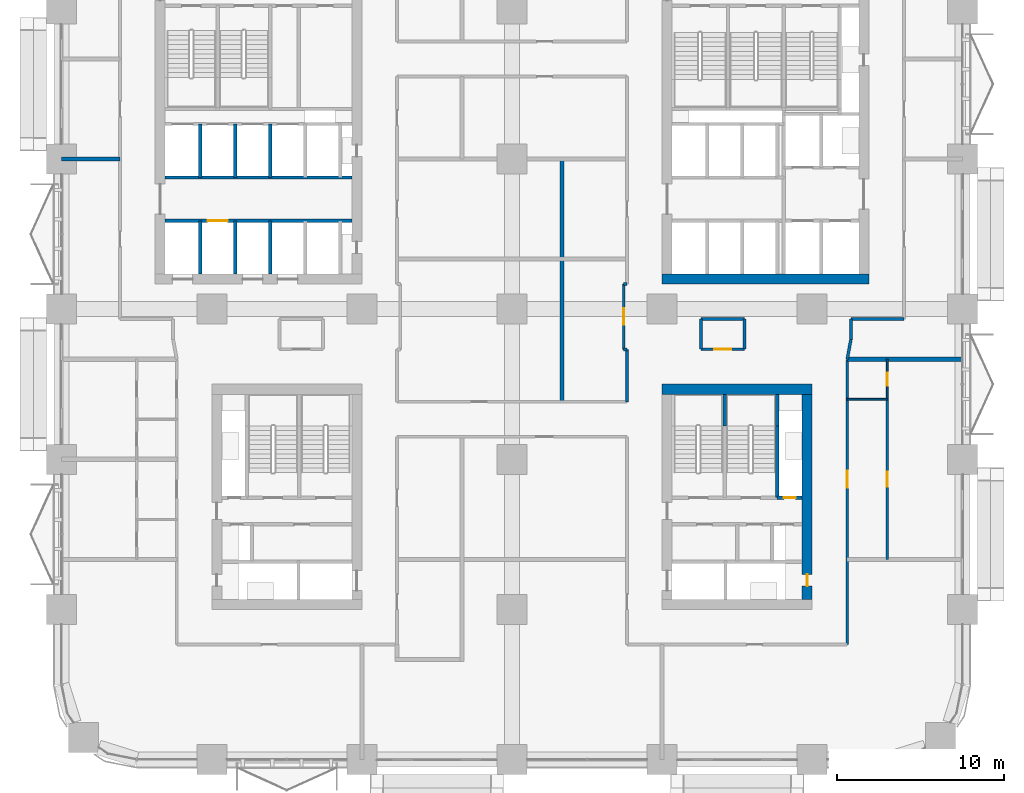
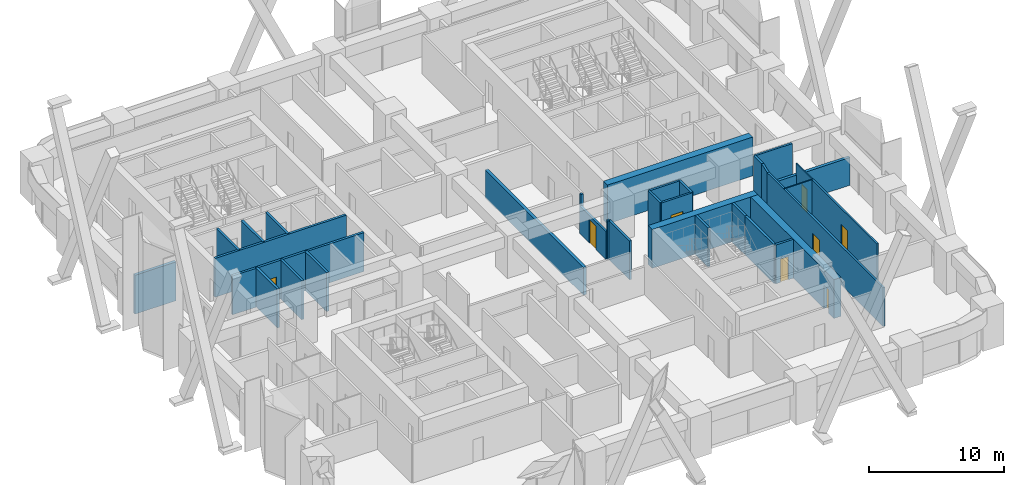
# One storey, part 16 of 23: 33 walls, 8 doors, 8 openings.
"""IFC4 building model written with IfcOpenShell, lengths in metres."""

from ifc_helpers import new_model, si_unit, direction, frame, frame_2d, origin, place, context, subcontext, project, spatial, rectangle, extrude, material, layer, layer_set, type_object, element, fill, save


model = new_model("IFC4")

# Units and contexts
model_context = context("Model", 3, precision=1e-05, world=origin(), true_north=direction((0.0, 1.0)))
body_context = subcontext(model_context, "Body", "Model", "MODEL_VIEW")
ifc_project = project(units=[si_unit("LENGTHUNIT", "METRE"), si_unit("AREAUNIT", "SQUARE_METRE"), si_unit("VOLUMEUNIT", "CUBIC_METRE"), si_unit("PLANEANGLEUNIT", "RADIAN"), si_unit("MASSUNIT", "GRAM", prefix="KILO")], contexts=[model_context])

# Site, building, storey
site_placement = place(None, origin())
site = spatial("IfcSite", under=ifc_project, at=site_placement, CompositionType="ELEMENT")
building_placement = place(site_placement, origin())
building = spatial("IfcBuilding", under=site, at=building_placement, Name="Tessera Arch", CompositionType="ELEMENT")
storey_placement = place(building_placement, frame((0.0, 0.0, 46.199951171875)))
storey = spatial("IfcBuildingStorey", under=building, at=storey_placement, Name="L09", CompositionType="ELEMENT", Elevation=46.199951171875)

# Walls
ifc_material_1 = material(Name="Concrete C70/85", Category="concrete")
ifc_layer_1 = layer(ifc_material_1, 0.60009765625)
ifc_layer_set_1 = layer_set([ifc_layer_1], Name="Core shell wall 600 C70-85")
wall_type_1 = type_object("IfcWallType", Name="Core shell wall 600 C70-85", PredefinedType="SHEAR", material=ifc_layer_set_1)
wall_1_placement = place(storey_placement, frame((36.0, 28.800048828125, 0.0), z_axis=(0.0, 0.0, 1.0), x_axis=(1.0, 0.0, 0.0)))
element("IfcWall", 1, at=wall_1_placement, inside=storey, type_object=wall_type_1, Name="L09 C1 core wall S", PredefinedType="SHEAR", context=body_context, shape_type="SweptSolid", body=[
    extrude(rectangle(XDim=12.39990234375, YDim=0.60009765625, at=frame_2d((6.199951171875, 0.0))), origin(), (0.0, 0.0, 1.0), 3.5),
])
wall_2_placement = place(storey_placement, frame((36.0, 22.199951171875, 0.0), z_axis=(0.0, 0.0, 1.0), x_axis=(1.0, 0.0, 0.0)))
element("IfcWall", 2, at=wall_2_placement, inside=storey, type_object=wall_type_1, Name="L09 C3 core wall N", PredefinedType="SHEAR", context=body_context, shape_type="SweptSolid", body=[
    extrude(rectangle(XDim=9.0, YDim=0.60009765625, at=frame_2d((4.5, 0.0))), origin(), (0.0, 0.0, 1.0), 3.5),
])

# Wall, opening, door
wall_3_placement = place(storey_placement, frame((44.699951171875, 9.60009765625, 0.0), z_axis=(0.0, 0.0, 1.0), x_axis=(0.0, 1.0, 0.0)))
wall_3 = element("IfcWall", 3, at=wall_3_placement, inside=storey, type_object=wall_type_1, Name="L09 C3 core wall E", PredefinedType="SHEAR", context=body_context, shape_type="SweptSolid", body=[
    extrude(rectangle(XDim=12.2998046875, YDim=0.60009765625, at=frame_2d((6.14990234375, 0.0))), origin(), (0.0, 0.0, 1.0), 3.5),
])
opening_1_placement = place(wall_3_placement, frame((0.800048828125, 0.0, 0.0)))
opening_1 = element("IfcOpeningElement", 4, at=opening_1_placement, cuts=wall_3, Name="Opening L09-C38", PredefinedType="OPENING", context=body_context, shape_type="SweptSolid", body=[
    extrude(rectangle(XDim=0.699951171875, YDim=2.10009765625, at=frame_2d((0.35009765625, 1.050048828125))), frame((0.0, 0.31005859375, 0.0), z_axis=(0.0, -1.0, 0.0), x_axis=(1.0, 0.0, 0.0)), (0.0, 0.0, 1.0), 0.6201171875),
])
ifc_material_2 = material(Name="Steel door leaf", Category="steel")
door_type_1 = type_object("IfcDoorType", Name="Service shaft door FD60 700 x 2100", OperationType="SINGLE_SWING_LEFT", PredefinedType="DOOR", material=ifc_material_2)
door_1_placement = place(opening_1_placement, origin())
door_1 = element("IfcDoor", 5, at=door_1_placement, inside=storey, type_object=door_type_1, Name="L09 C3 door 6 C38 type D07", OperationType="SINGLE_SWING_LEFT", OverallHeight=2.10009765625, OverallWidth=0.699951171875, PredefinedType="DOOR", context=body_context, shape_type="SweptSolid", body=[
    extrude(rectangle(XDim=0.699951171875, YDim=2.10009765625, at=frame_2d((0.35009765625, 1.050048828125))), frame((0.0, 0.02490234375, 0.0), z_axis=(0.0, -1.0, 0.0), x_axis=(1.0, 0.0, 0.0)), (0.0, 0.0, 1.0), 0.050048828125),
])
fill(opening_1, door_1)

# Wall
ifc_material_3 = material(Name="Gypsum board on deep steel stud with mineral wool", Category="steel")
ifc_layer_2 = layer(ifc_material_3, 0.175048828125)
ifc_layer_set_2 = layer_set([ifc_layer_2], Name="Corridor wall 175 EI 60")
wall_type_2 = type_object("IfcWallType", Name="Corridor wall 175 EI 60", PredefinedType="PARTITIONING", material=ifc_layer_set_2)
wall_4_placement = place(storey_placement, frame((33.699951171875, 24.590087890625, 0.0), z_axis=(0.0, 0.0, 1.0), x_axis=(1.0, 0.0, 0.0)))
element("IfcWall", 6, at=wall_4_placement, inside=storey, type_object=wall_type_2, Name="L09 partition 6", PredefinedType="PARTITIONING", context=body_context, shape_type="SweptSolid", body=[
    extrude(rectangle(XDim=0.199951171875, YDim=0.175048828125, at=frame_2d((0.10009765625, 0.0))), origin(), (0.0, 0.0, 1.0), 3.5),
])

# Wall, opening, door
wall_5_placement = place(storey_placement, frame((38.320068359375, 24.60009765625, 0.0), z_axis=(0.0, 0.0, 1.0), x_axis=(1.0, 0.0, 0.0)))
wall_5 = element("IfcWall", 7, at=wall_5_placement, inside=storey, type_object=wall_type_2, Name="L09 partition 8", PredefinedType="PARTITIONING", context=body_context, shape_type="SweptSolid", body=[
    extrude(rectangle(XDim=2.6298828125, YDim=0.175048828125, at=frame_2d((1.31494140625, 0.0))), origin(), (0.0, 0.0, 1.0), 3.5),
])
opening_2_placement = place(wall_5_placement, frame((0.81494140625, 0.0, 0.0)))
opening_2 = element("IfcOpeningElement", 8, at=opening_2_placement, cuts=wall_5, Name="Opening L09-D017", PredefinedType="OPENING", context=body_context, shape_type="SweptSolid", body=[
    extrude(rectangle(XDim=1.0, YDim=2.10009765625, at=frame_2d((0.5, 1.050048828125))), frame((0.0, 0.097412109375, 0.0), z_axis=(0.0, -1.0, 0.0), x_axis=(1.0, 0.0, 0.0)), (0.0, 0.0, 1.0), 0.195068359375),
])
ifc_material_4 = material(Name="Fire-rated door leaf")
door_type_2 = type_object("IfcDoorType", Name="Entrance door FD30S 1000 x 2100", OperationType="SINGLE_SWING_LEFT", PredefinedType="DOOR", material=ifc_material_4)
door_2_placement = place(opening_2_placement, origin())
door_2 = element("IfcDoor", 9, at=door_2_placement, inside=storey, type_object=door_type_2, Name="L09 door D017 type D03", OperationType="SINGLE_SWING_LEFT", OverallHeight=2.10009765625, OverallWidth=1.0, PredefinedType="DOOR", context=body_context, shape_type="SweptSolid", body=[
    extrude(rectangle(XDim=1.0, YDim=2.10009765625, at=frame_2d((0.5, 1.050048828125))), frame((0.0, 0.02490234375, 0.0), z_axis=(0.0, -1.0, 0.0), x_axis=(1.0, 0.0, 0.0)), (0.0, 0.0, 1.0), 0.050048828125),
])
fill(opening_2, door_2)

# Walls
wall_6_placement = place(storey_placement, frame((38.320068359375, 26.39990234375, 0.0), z_axis=(0.0, 0.0, 1.0), x_axis=(1.0, 0.0, 0.0)))
element("IfcWall", 10, at=wall_6_placement, inside=storey, type_object=wall_type_2, Name="L09 partition 11", PredefinedType="PARTITIONING", context=body_context, shape_type="SweptSolid", body=[
    extrude(rectangle(XDim=2.6298828125, YDim=0.175048828125, at=frame_2d((1.31494140625, 0.0))), origin(), (0.0, 0.0, 1.0), 3.5),
])
wall_7_placement = place(storey_placement, frame((47.320068359375, 26.39990234375, 0.0), z_axis=(0.0, 0.0, 1.0), x_axis=(1.0, 0.0, 0.0)))
element("IfcWall", 11, at=wall_7_placement, inside=storey, type_object=wall_type_2, Name="L09 partition 12", PredefinedType="PARTITIONING", context=body_context, shape_type="SweptSolid", body=[
    extrude(rectangle(XDim=3.179931640625, YDim=0.175048828125, at=frame_2d((1.58984375, 0.0))), origin(), (0.0, 0.0, 1.0), 3.5),
])
wall_8_placement = place(storey_placement, frame((33.699951171875, 28.52001953125, 0.0), z_axis=(0.0, 0.0, 1.0), x_axis=(1.0, 0.0, 0.0)))
element("IfcWall", 12, at=wall_8_placement, inside=storey, type_object=wall_type_2, Name="L09 partition 14", PredefinedType="PARTITIONING", context=body_context, shape_type="SweptSolid", body=[
    extrude(rectangle(XDim=0.199951171875, YDim=0.175048828125, at=frame_2d((0.10009765625, 0.0))), origin(), (0.0, 0.0, 1.0), 3.5),
])

# Wall, opening, door
wall_9_placement = place(storey_placement, frame((33.699951171875, 24.590087890625, 0.0), z_axis=(0.0, 0.0, 1.0), x_axis=(0.0, 1.0, 0.0)))
wall_9 = element("IfcWall", 13, at=wall_9_placement, inside=storey, type_object=wall_type_2, Name="L09 partition 29", PredefinedType="PARTITIONING", context=body_context, shape_type="SweptSolid", body=[
    extrude(rectangle(XDim=3.929931640625, YDim=0.175048828125, at=frame_2d((1.96484375, 0.0))), origin(), (0.0, 0.0, 1.0), 2.5),
])
opening_3_placement = place(wall_9_placement, frame((1.465087890625, 0.0, 0.0)))
opening_3 = element("IfcOpeningElement", 14, at=opening_3_placement, cuts=wall_9, Name="Opening L09-D019", PredefinedType="OPENING", context=body_context, shape_type="SweptSolid", body=[
    extrude(rectangle(XDim=1.0, YDim=2.10009765625, at=frame_2d((0.5, 1.050048828125))), frame((0.0, 0.097412109375, 0.0), z_axis=(0.0, -1.0, 0.0), x_axis=(1.0, 0.0, 0.0)), (0.0, 0.0, 1.0), 0.195068359375),
])
door_3_placement = place(opening_3_placement, origin())
door_3 = element("IfcDoor", 15, at=door_3_placement, inside=storey, type_object=door_type_2, Name="L09 door D019 type D03", OperationType="SINGLE_SWING_LEFT", OverallHeight=2.10009765625, OverallWidth=1.0, PredefinedType="DOOR", context=body_context, shape_type="SweptSolid", body=[
    extrude(rectangle(XDim=1.0, YDim=2.10009765625, at=frame_2d((0.5, 1.050048828125))), frame((0.0, 0.02490234375, 0.0), z_axis=(0.0, -1.0, 0.0), x_axis=(1.0, 0.0, 0.0)), (0.0, 0.0, 1.0), 0.050048828125),
])
fill(opening_3, door_3)

# Walls
wall_10_placement = place(storey_placement, frame((33.89990234375, 21.449951171875, 0.0), z_axis=(0.0, 0.0, 1.0), x_axis=(0.0, 1.0, 0.0)))
element("IfcWall", 16, at=wall_10_placement, inside=storey, type_object=wall_type_2, Name="L09 partition 31", PredefinedType="PARTITIONING", context=body_context, shape_type="SweptSolid", body=[
    extrude(rectangle(XDim=3.14013671875, YDim=0.175048828125, at=frame_2d((1.570068359375, 0.0))), origin(), (0.0, 0.0, 1.0), 3.5),
])
for number, where, z_axis, x_axis, name in (
    (17, (38.320068359375, 24.60009765625, 0.0), (0.0, 0.0, 1.0), (0.0, 1.0, 0.0), "L09 partition 34"),
    (18, (40.949951171875, 24.60009765625, 0.0), (0.0, 0.0, 1.0), (0.0, 1.0, 0.0), "L09 partition 35"),
):
    element("IfcWall", number, at=place(storey_placement, frame(where, z_axis=z_axis, x_axis=x_axis)), inside=storey, type_object=wall_type_2, Name=name, PredefinedType="PARTITIONING", context=body_context, shape_type="SweptSolid", body=[
        extrude(rectangle(XDim=1.7998046875, YDim=0.175048828125, at=frame_2d((0.89990234375, 0.0))), origin(), (0.0, 0.0, 1.0), 3.5),
    ])

# Wall, opening, door
wall_11_placement = place(storey_placement, frame((47.10009765625, 6.89990234375, 0.0), z_axis=(0.0, 0.0, 1.0), x_axis=(0.0, 1.0, 0.0)))
wall_11 = element("IfcWall", 19, at=wall_11_placement, inside=storey, type_object=wall_type_2, Name="L09 partition 36", PredefinedType="PARTITIONING", context=body_context, shape_type="SweptSolid", body=[
    extrude(rectangle(XDim=17.090087890625, YDim=0.175048828125, at=frame_2d((8.544921875, 0.0))), origin(), (0.0, 0.0, 1.0), 3.5),
])
opening_4_placement = place(wall_11_placement, frame((9.39990234375, 0.0, 0.0)))
opening_4 = element("IfcOpeningElement", 20, at=opening_4_placement, cuts=wall_11, Name="Opening L09-D010", PredefinedType="OPENING", context=body_context, shape_type="SweptSolid", body=[
    extrude(rectangle(XDim=1.0, YDim=2.10009765625, at=frame_2d((0.5, 1.050048828125))), frame((0.0, 0.097412109375, 0.0), z_axis=(0.0, -1.0, 0.0), x_axis=(1.0, 0.0, 0.0)), (0.0, 0.0, 1.0), 0.195068359375),
])
door_4_placement = place(opening_4_placement, origin())
door_4 = element("IfcDoor", 21, at=door_4_placement, inside=storey, type_object=door_type_2, Name="L09 door D010 type D03", OperationType="SINGLE_SWING_LEFT", OverallHeight=2.10009765625, OverallWidth=1.0, PredefinedType="DOOR", context=body_context, shape_type="SweptSolid", body=[
    extrude(rectangle(XDim=1.0, YDim=2.10009765625, at=frame_2d((0.5, 1.050048828125))), frame((0.0, 0.02490234375, 0.0), z_axis=(0.0, -1.0, 0.0), x_axis=(1.0, 0.0, 0.0)), (0.0, 0.0, 1.0), 0.050048828125),
])
fill(opening_4, door_4)

# Walls
wall_12_placement = place(storey_placement, frame((47.320068359375, 25.18994140625, 0.0), z_axis=(0.0, 0.0, 1.0), x_axis=(0.0, 1.0, 0.0)))
element("IfcWall", 22, at=wall_12_placement, inside=storey, type_object=wall_type_2, Name="L09 partition 37", PredefinedType="PARTITIONING", context=body_context, shape_type="SweptSolid", body=[
    extrude(rectangle(XDim=1.2099609375, YDim=0.175048828125, at=frame_2d((0.60498046875, 0.0))), origin(), (0.0, 0.0, 1.0), 3.5),
])
wall_13_placement = place(storey_placement, frame((47.320068359375, 25.18994140625, 0.0), z_axis=(0.0, 0.0, 1.0), x_axis=(-0.180412472784, -0.983591042895, 0.0)))
element("IfcWall", 23, at=wall_13_placement, inside=storey, type_object=wall_type_2, Name="L09 partition 74", PredefinedType="PARTITIONING", context=body_context, shape_type="SweptSolid", body=[
    extrude(rectangle(XDim=1.209716796875, YDim=0.175048828125, at=frame_2d((0.60498046875, 0.0))), origin(), (0.0, 0.0, 1.0), 3.5),
])

# Wall, opening, door
ifc_material_5 = material(Name="Gypsum board on steel stud", Category="steel")
ifc_layer_3 = layer(ifc_material_5, 0.14990234375)
ifc_layer_set_3 = layer_set([ifc_layer_3], Name="Partition 150")
wall_type_3 = type_object("IfcWallType", Name="Partition 150", PredefinedType="PARTITIONING", material=ifc_layer_set_3)
wall_14_placement = place(storey_placement, frame((49.5, 12.0, 0.0), z_axis=(0.0, 0.0, 1.0), x_axis=(0.0, 1.0, 0.0)))
wall_14 = element("IfcWall", 24, at=wall_14_placement, inside=storey, type_object=wall_type_3, Name="L09 partition 41", PredefinedType="PARTITIONING", context=body_context, shape_type="SweptSolid", body=[
    extrude(rectangle(XDim=9.60009765625, YDim=0.14990234375, at=frame_2d((4.800048828125, 0.0))), origin(), (0.0, 0.0, 1.0), 3.5),
])
opening_5_placement = place(wall_14_placement, frame((4.35009765625, 0.0, 0.0)))
opening_5 = element("IfcOpeningElement", 25, at=opening_5_placement, cuts=wall_14, Name="Opening L09-D011", PredefinedType="OPENING", context=body_context, shape_type="SweptSolid", body=[
    extrude(rectangle(XDim=0.89990234375, YDim=2.10009765625, at=frame_2d((0.449951171875, 1.050048828125))), frame((0.0, 0.0849609375, 0.0), z_axis=(0.0, -1.0, 0.0), x_axis=(1.0, 0.0, 0.0)), (0.0, 0.0, 1.0), 0.169921875),
])
ifc_material_6 = material(Name="Timber door leaf", Category="wood")
door_type_3 = type_object("IfcDoorType", Name="Room door 900 x 2100", OperationType="SINGLE_SWING_LEFT", PredefinedType="DOOR", material=ifc_material_6)
door_5_placement = place(opening_5_placement, origin())
door_5 = element("IfcDoor", 26, at=door_5_placement, inside=storey, type_object=door_type_3, Name="L09 door D011 type D01", OperationType="SINGLE_SWING_RIGHT", OverallHeight=2.10009765625, OverallWidth=0.89990234375, PredefinedType="DOOR", context=body_context, shape_type="SweptSolid", body=[
    extrude(rectangle(XDim=0.89990234375, YDim=2.10009765625, at=frame_2d((0.449951171875, 1.050048828125))), frame((0.0, 0.02490234375, 0.0), z_axis=(0.0, -1.0, 0.0), x_axis=(1.0, 0.0, 0.0)), (0.0, 0.0, 1.0), 0.050048828125),
])
fill(opening_5, door_5)

# Walls
ifc_material_7 = material(Name="Double gypsum board on twin steel stud with acoustic mineral wool", Category="steel")
ifc_layer_4 = layer(ifc_material_7, 0.25)
ifc_layer_set_4 = layer_set([ifc_layer_4], Name="Party wall 250 EI 60")
wall_type_4 = type_object("IfcWallType", Name="Party wall 250 EI 60", PredefinedType="PARTITIONING", material=ifc_layer_set_4)
wall_15_placement = place(storey_placement, frame((47.101806640625, 24.0, 0.0), z_axis=(0.0, 0.0, 1.0), x_axis=(1.0, 0.0, 0.0)))
element("IfcWall", 27, at=wall_15_placement, inside=storey, type_object=wall_type_4, Name="L09 partition 48", PredefinedType="PARTITIONING", context=body_context, shape_type="SweptSolid", body=[
    extrude(rectangle(XDim=6.898193359375, YDim=0.25, at=frame_2d((3.44921875, 0.0))), origin(), (0.0, 0.0, 1.0), 2.5),
])
wall_16_placement = place(storey_placement, frame((0.0, 36.0, 0.0), z_axis=(0.0, 0.0, 1.0), x_axis=(1.0, 0.0, 0.0)))
element("IfcWall", 28, at=wall_16_placement, inside=storey, type_object=wall_type_4, Name="L09 partition 50", PredefinedType="PARTITIONING", context=body_context, shape_type="SweptSolid", body=[
    extrude(rectangle(XDim=3.5, YDim=0.25, at=frame_2d((1.75, 0.0))), origin(), (0.0, 0.0, 1.0), 3.5),
])
wall_17_placement = place(storey_placement, frame((30.0, 21.449951171875, 0.0), z_axis=(0.0, 0.0, 1.0), x_axis=(0.0, 1.0, 0.0)))
element("IfcWall", 29, at=wall_17_placement, inside=storey, type_object=wall_type_4, Name="L09 partition 62", PredefinedType="PARTITIONING", context=body_context, shape_type="SweptSolid", body=[
    extrude(rectangle(XDim=14.550048828125, YDim=0.25, at=frame_2d((7.27490234375, 0.0))), origin(), (0.0, 0.0, 1.0), 2.5),
])
ifc_material_8 = material(Name="Concrete C40/50", Category="concrete")
ifc_layer_5 = layer(ifc_material_8, 0.199951171875)
ifc_layer_set_5 = layer_set([ifc_layer_5], Name="Shaft wall 200 EI 120")
wall_type_5 = type_object("IfcWallType", Name="Shaft wall 200 EI 120", PredefinedType="SOLIDWALL", material=ifc_layer_set_5)
wall_18_placement = place(storey_placement, frame((8.300048828125, 29.10009765625, 0.0), z_axis=(0.0, 0.0, 1.0), x_axis=(0.0, 1.0, 0.0)))
element("IfcWall", 30, at=wall_18_placement, inside=storey, type_object=wall_type_5, Name="L09 C2 shaft wall 1", PredefinedType="SOLIDWALL", context=body_context, shape_type="SweptSolid", body=[
    extrude(rectangle(XDim=3.199951171875, YDim=0.199951171875, at=frame_2d((1.60009765625, 0.0))), origin(), (0.0, 0.0, 1.0), 3.5),
])
wall_19_placement = place(storey_placement, frame((8.300048828125, 34.89990234375, 0.0), z_axis=(0.0, 0.0, 1.0), x_axis=(0.0, 1.0, 0.0)))
element("IfcWall", 31, at=wall_19_placement, inside=storey, type_object=wall_type_5, Name="L09 C2 shaft wall 2", PredefinedType="SOLIDWALL", context=body_context, shape_type="SweptSolid", body=[
    extrude(rectangle(XDim=3.2001953125, YDim=0.199951171875, at=frame_2d((1.60009765625, 0.0))), origin(), (0.0, 0.0, 1.0), 3.5),
])
wall_20_placement = place(storey_placement, frame((10.39990234375, 29.10009765625, 0.0), z_axis=(0.0, 0.0, 1.0), x_axis=(0.0, 1.0, 0.0)))
element("IfcWall", 32, at=wall_20_placement, inside=storey, type_object=wall_type_5, Name="L09 C2 shaft wall 6", PredefinedType="SOLIDWALL", context=body_context, shape_type="SweptSolid", body=[
    extrude(rectangle(XDim=3.199951171875, YDim=0.199951171875, at=frame_2d((1.60009765625, 0.0))), origin(), (0.0, 0.0, 1.0), 3.5),
])
wall_21_placement = place(storey_placement, frame((10.39990234375, 34.89990234375, 0.0), z_axis=(0.0, 0.0, 1.0), x_axis=(0.0, 1.0, 0.0)))
element("IfcWall", 33, at=wall_21_placement, inside=storey, type_object=wall_type_5, Name="L09 C2 shaft wall 7", PredefinedType="SOLIDWALL", context=body_context, shape_type="SweptSolid", body=[
    extrude(rectangle(XDim=3.2001953125, YDim=0.199951171875, at=frame_2d((1.60009765625, 0.0))), origin(), (0.0, 0.0, 1.0), 3.5),
])
wall_22_placement = place(storey_placement, frame((12.5, 29.10009765625, 0.0), z_axis=(0.0, 0.0, 1.0), x_axis=(0.0, 1.0, 0.0)))
element("IfcWall", 34, at=wall_22_placement, inside=storey, type_object=wall_type_5, Name="L09 C2 shaft wall 8", PredefinedType="SOLIDWALL", context=body_context, shape_type="SweptSolid", body=[
    extrude(rectangle(XDim=3.199951171875, YDim=0.199951171875, at=frame_2d((1.60009765625, 0.0))), origin(), (0.0, 0.0, 1.0), 3.5),
])
wall_23_placement = place(storey_placement, frame((12.5, 34.89990234375, 0.0), z_axis=(0.0, 0.0, 1.0), x_axis=(0.0, 1.0, 0.0)))
element("IfcWall", 35, at=wall_23_placement, inside=storey, type_object=wall_type_5, Name="L09 C2 shaft wall 9", PredefinedType="SOLIDWALL", context=body_context, shape_type="SweptSolid", body=[
    extrude(rectangle(XDim=3.2001953125, YDim=0.199951171875, at=frame_2d((1.60009765625, 0.0))), origin(), (0.0, 0.0, 1.0), 3.5),
])

# Wall, opening, door
wall_24_placement = place(storey_placement, frame((6.199951171875, 32.300048828125, 0.0), z_axis=(0.0, 0.0, 1.0), x_axis=(1.0, 0.0, 0.0)))
wall_24 = element("IfcWall", 36, at=wall_24_placement, inside=storey, type_object=wall_type_5, Name="L09 C2 shaft wall 18", PredefinedType="SOLIDWALL", context=body_context, shape_type="SweptSolid", body=[
    extrude(rectangle(XDim=11.199951171875, YDim=0.199951171875, at=frame_2d((5.60009765625, 0.0))), origin(), (0.0, 0.0, 1.0), 3.5),
])
opening_6_placement = place(wall_24_placement, frame((2.550048828125, 0.0, 0.0)))
opening_6 = element("IfcOpeningElement", 37, at=opening_6_placement, cuts=wall_24, Name="Opening L09-C15", PredefinedType="OPENING", context=body_context, shape_type="SweptSolid", body=[
    extrude(rectangle(XDim=1.199951171875, YDim=2.10009765625, at=frame_2d((0.60009765625, 1.050048828125))), frame((0.0, 0.10986328125, 0.0), z_axis=(0.0, -1.0, 0.0), x_axis=(1.0, 0.0, 0.0)), (0.0, 0.0, 1.0), 0.219970703125),
])
ifc_material_9 = material(Name="Stainless steel AISI 304", Category="steel")
door_type_4 = type_object("IfcDoorType", Name="Sliding landing door 1200 x 2100", OperationType="SLIDING_TO_LEFT", PredefinedType="DOOR", material=ifc_material_9)
door_6_placement = place(opening_6_placement, origin())
door_6 = element("IfcDoor", 38, at=door_6_placement, inside=storey, type_object=door_type_4, Name="L09 LR2 lift landing door C15 type LD", OperationType="SLIDING_TO_LEFT", OverallHeight=2.10009765625, OverallWidth=1.199951171875, PredefinedType="DOOR", context=body_context, shape_type="SweptSolid", body=[
    extrude(rectangle(XDim=1.199951171875, YDim=2.10009765625, at=frame_2d((0.60009765625, 1.050048828125))), frame((0.0, 0.02490234375, 0.0), z_axis=(0.0, -1.0, 0.0), x_axis=(1.0, 0.0, 0.0)), (0.0, 0.0, 1.0), 0.050048828125),
])
fill(opening_6, door_6)

# Wall
wall_25_placement = place(storey_placement, frame((6.199951171875, 34.89990234375, 0.0), z_axis=(0.0, 0.0, 1.0), x_axis=(1.0, 0.0, 0.0)))
element("IfcWall", 39, at=wall_25_placement, inside=storey, type_object=wall_type_5, Name="L09 C2 shaft wall 19", PredefinedType="SOLIDWALL", context=body_context, shape_type="SweptSolid", body=[
    extrude(rectangle(XDim=11.199951171875, YDim=0.199951171875, at=frame_2d((5.60009765625, 0.0))), origin(), (0.0, 0.0, 1.0), 3.5),
])

# Wall, opening, door
wall_26_placement = place(storey_placement, frame((42.89990234375, 15.699951171875, 0.0), z_axis=(0.0, 0.0, 1.0), x_axis=(1.0, 0.0, 0.0)))
wall_26 = element("IfcWall", 40, at=wall_26_placement, inside=storey, type_object=wall_type_5, Name="L09 C3 shaft wall 11", PredefinedType="SOLIDWALL", context=body_context, shape_type="SweptSolid", body=[
    extrude(rectangle(XDim=1.5, YDim=0.199951171875, at=frame_2d((0.75, 0.0))), origin(), (0.0, 0.0, 1.0), 3.5),
])
opening_7_placement = place(wall_26_placement, frame((0.39990234375, 0.0, 0.0)))
opening_7 = element("IfcOpeningElement", 41, at=opening_7_placement, cuts=wall_26, Name="Opening L09-C36", PredefinedType="OPENING", context=body_context, shape_type="SweptSolid", body=[
    extrude(rectangle(XDim=0.699951171875, YDim=2.10009765625, at=frame_2d((0.35009765625, 1.050048828125))), frame((0.0, 0.10986328125, 0.0), z_axis=(0.0, -1.0, 0.0), x_axis=(1.0, 0.0, 0.0)), (0.0, 0.0, 1.0), 0.219970703125),
])
door_7_placement = place(opening_7_placement, origin())
door_7 = element("IfcDoor", 42, at=door_7_placement, inside=storey, type_object=door_type_1, Name="L09 C3 door 4 C36 type D07", OperationType="SINGLE_SWING_LEFT", OverallHeight=2.10009765625, OverallWidth=0.699951171875, PredefinedType="DOOR", context=body_context, shape_type="SweptSolid", body=[
    extrude(rectangle(XDim=0.699951171875, YDim=2.10009765625, at=frame_2d((0.35009765625, 1.050048828125))), frame((0.0, 0.02490234375, 0.0), z_axis=(0.0, -1.0, 0.0), x_axis=(1.0, 0.0, 0.0)), (0.0, 0.0, 1.0), 0.050048828125),
])
fill(opening_7, door_7)

# Walls
ifc_material_10 = material(Name="Concrete C40/50", Category="concrete")
ifc_layer_6 = layer(ifc_material_10, 0.199951171875)
ifc_layer_set_6 = layer_set([ifc_layer_6], Name="Stair well wall 200 REI 180")
wall_type_6 = type_object("IfcWallType", Name="Stair well wall 200 REI 180", PredefinedType="SOLIDWALL", material=ifc_layer_set_6)
wall_27_placement = place(storey_placement, frame((39.75, 20.0, 0.0), z_axis=(0.0, 0.0, 1.0), x_axis=(0.0, 1.0, 0.0)))
element("IfcWall", 43, at=wall_27_placement, inside=storey, type_object=wall_type_6, Name="L09 C3 shaft wall 2", PredefinedType="SOLIDWALL", context=body_context, shape_type="SweptSolid", body=[
    extrude(rectangle(XDim=1.89990234375, YDim=0.199951171875, at=frame_2d((0.949951171875, 0.0))), origin(), (0.0, 0.0, 1.0), 3.5),
])
wall_28_placement = place(storey_placement, frame((42.89990234375, 15.699951171875, 0.0), z_axis=(0.0, 0.0, 1.0), x_axis=(0.0, 1.0, 0.0)))
element("IfcWall", 44, at=wall_28_placement, inside=storey, type_object=wall_type_6, Name="L09 C3 shaft wall 6", PredefinedType="SOLIDWALL", context=body_context, shape_type="SweptSolid", body=[
    extrude(rectangle(XDim=4.300048828125, YDim=0.199951171875, at=frame_2d((2.14990234375, 0.0))), origin(), (0.0, 0.0, 1.0), 3.5),
])
wall_29_placement = place(storey_placement, frame((42.89990234375, 20.0, 0.0), z_axis=(0.0, 0.0, 1.0), x_axis=(0.0, 1.0, 0.0)))
element("IfcWall", 45, at=wall_29_placement, inside=storey, type_object=wall_type_6, Name="L09 C3 shaft wall 7", PredefinedType="SOLIDWALL", context=body_context, shape_type="SweptSolid", body=[
    extrude(rectangle(XDim=1.89990234375, YDim=0.199951171875, at=frame_2d((0.949951171875, 0.0))), origin(), (0.0, 0.0, 1.0), 3.5),
])
ifc_material_11 = material(Name="Moisture-resistant board on pre-plumbed steel stud", Category="steel")
ifc_layer_7 = layer(ifc_material_11, 0.10009765625)
ifc_layer_set_7 = layer_set([ifc_layer_7], Name="Wet wall 100")
wall_type_7 = type_object("IfcWallType", Name="Wet wall 100", PredefinedType="PARTITIONING", material=ifc_layer_set_7)
wall_30_placement = place(storey_placement, frame((47.10009765625, 21.60009765625, 0.0), z_axis=(0.0, 0.0, 1.0), x_axis=(1.0, 0.0, 0.0)))
element("IfcWall", 46, at=wall_30_placement, inside=storey, type_object=wall_type_7, Name="L09 partition 69", PredefinedType="PARTITIONING", context=body_context, shape_type="SweptSolid", body=[
    extrude(rectangle(XDim=2.39990234375, YDim=0.10009765625, at=frame_2d((1.199951171875, 0.0))), origin(), (0.0, 0.0, 1.0), 3.5),
])

# Wall, opening, door
wall_31_placement = place(storey_placement, frame((49.5, 21.60009765625, 0.0), z_axis=(0.0, 0.0, 1.0), x_axis=(0.0, 1.0, 0.0)))
wall_31 = element("IfcWall", 47, at=wall_31_placement, inside=storey, type_object=wall_type_7, Name="L09 partition 72", PredefinedType="PARTITIONING", context=body_context, shape_type="SweptSolid", body=[
    extrude(rectangle(XDim=2.39990234375, YDim=0.10009765625, at=frame_2d((1.199951171875, 0.0))), origin(), (0.0, 0.0, 1.0), 3.5),
])
opening_8_placement = place(wall_31_placement, frame((0.800048828125, 0.0, 0.0)))
opening_8 = element("IfcOpeningElement", 48, at=opening_8_placement, cuts=wall_31, Name="Opening L09-D012", PredefinedType="OPENING", context=body_context, shape_type="SweptSolid", body=[
    extrude(rectangle(XDim=0.800048828125, YDim=2.10009765625, at=frame_2d((0.39990234375, 1.050048828125))), frame((0.0, 0.06005859375, 0.0), z_axis=(0.0, -1.0, 0.0), x_axis=(1.0, 0.0, 0.0)), (0.0, 0.0, 1.0), 0.1201171875),
])
ifc_material_12 = material(Name="Timber door leaf", Category="wood")
door_type_5 = type_object("IfcDoorType", Name="En-suite door 800 x 2100", OperationType="SINGLE_SWING_LEFT", PredefinedType="DOOR", material=ifc_material_12)
door_8_placement = place(opening_8_placement, origin())
door_8 = element("IfcDoor", 49, at=door_8_placement, inside=storey, type_object=door_type_5, Name="L09 door D012 type D02", OperationType="SINGLE_SWING_LEFT", OverallHeight=2.10009765625, OverallWidth=0.800048828125, PredefinedType="DOOR", context=body_context, shape_type="SweptSolid", body=[
    extrude(rectangle(XDim=0.800048828125, YDim=2.10009765625, at=frame_2d((0.39990234375, 1.050048828125))), frame((0.0, 0.02490234375, 0.0), z_axis=(0.0, -1.0, 0.0), x_axis=(1.0, 0.0, 0.0)), (0.0, 0.0, 1.0), 0.050048828125),
])
fill(opening_8, door_8)

save(model, "model.ifc")
